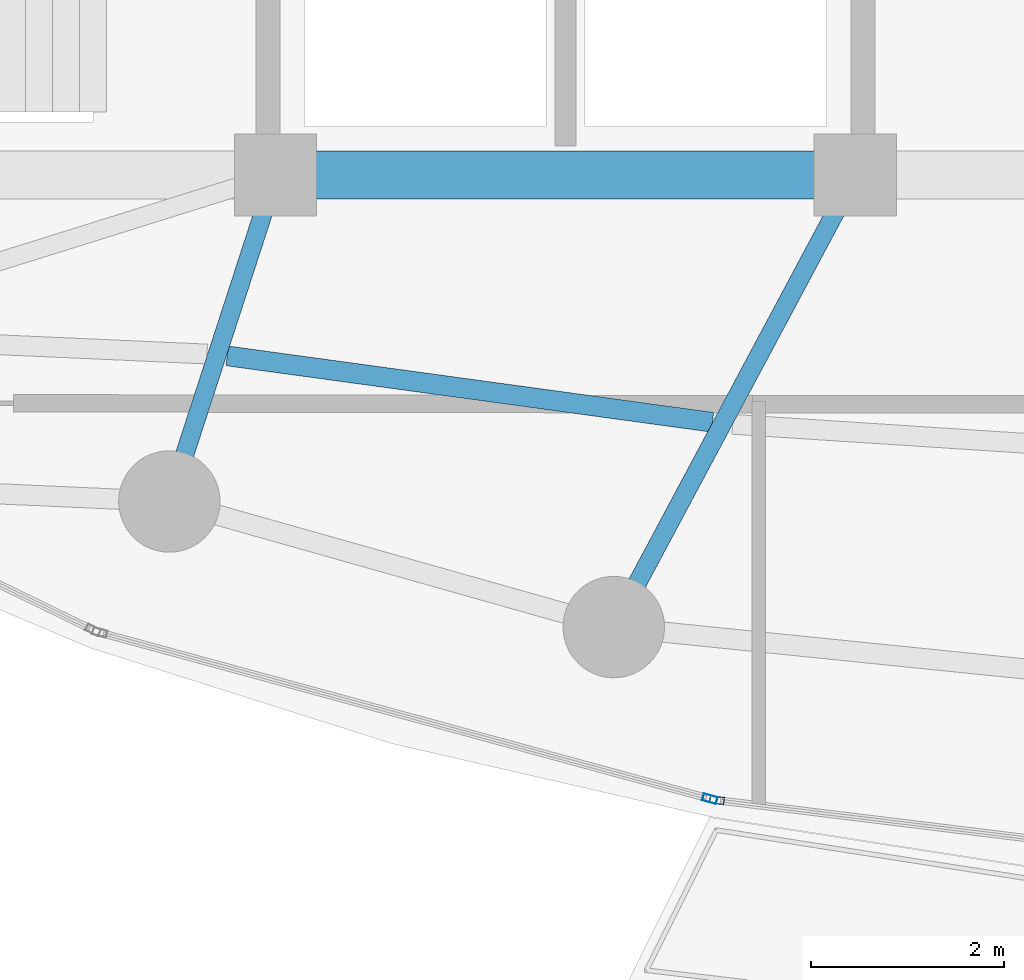
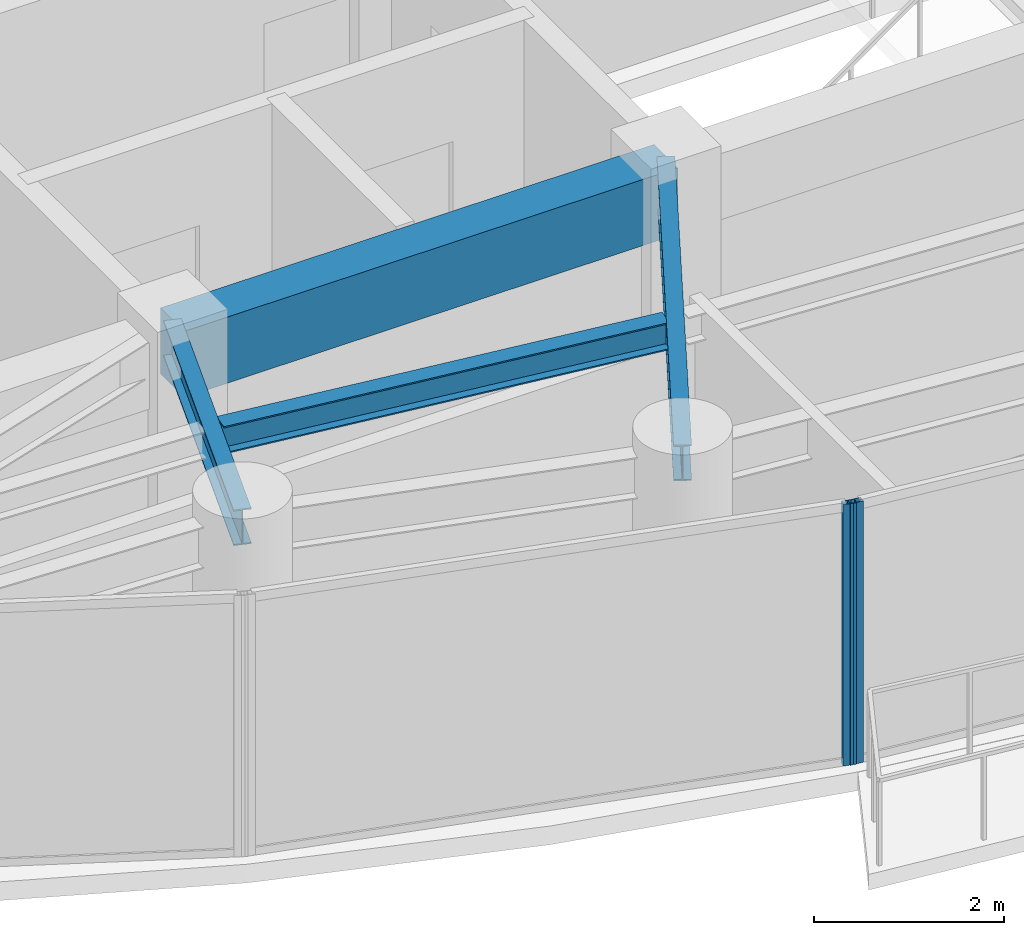
# One storey, part 5 of 31: 4 beams, 2 members, 2 elements without a shape of their own.
"""IFC4 building model written with IfcOpenShell, lengths in metres."""

from ifc_helpers import new_model, si_unit, direction, frame, origin, origin_2d, place, context, subcontext, project, spatial, rectangle, hollow_rectangle, i_section, extrude, material, layer, layer_set, material_profile, profile_set, type_object, element, aggregate, save


model = new_model("IFC4")

# Units and contexts
model_context = context("Model", 3, precision=1e-05, world=origin(), true_north=direction((0.0, 1.0)))
body_context = subcontext(model_context, "Body", "Model", "MODEL_VIEW")
ifc_project = project(units=[si_unit("LENGTHUNIT", "METRE"), si_unit("AREAUNIT", "SQUARE_METRE"), si_unit("VOLUMEUNIT", "CUBIC_METRE"), si_unit("PLANEANGLEUNIT", "RADIAN"), si_unit("MASSUNIT", "GRAM", prefix="KILO")], contexts=[model_context])

# Site, building, storey
site_placement = place(None, origin())
site = spatial("IfcSite", under=ifc_project, at=site_placement, CompositionType="ELEMENT")
building_placement = place(site_placement, origin())
building = spatial("IfcBuilding", under=site, at=building_placement, Name="Kazevale Care Tower and Concert Hall", CompositionType="ELEMENT")
storey_placement = place(building_placement, frame((0.0, 0.0, 217.199951171875)))
storey = spatial("IfcBuildingStorey", under=building, at=storey_placement, Name="L57", CompositionType="ELEMENT", Elevation=217.199951171875)

# Curtain wall, member
ifc_material_1 = material(Name="Aluminium 6063-T6 and Low-E Glass", Category="aluminium")
ifc_layer = layer(ifc_material_1, 0.179931640625)
ifc_layer_set = layer_set([ifc_layer], Name="Aluminium 6063-T6 and Low-E Glass")
curtain_wall_type = type_object("IfcCurtainWallType", Name="Sheltered Concave Balcony Curtain Wall CW-5", PredefinedType="NOTDEFINED", material=ifc_layer_set)
curtain_wall_1_placement = place(storey_placement, origin())
curtain_wall_1 = element("IfcCurtainWall", 1, at=curtain_wall_1_placement, inside=storey, type_object=curtain_wall_type, Name="cw:L57:f07", PredefinedType="NOTDEFINED")
ifc_material_2 = material(Name="Aluminium 6063-T6", Category="aluminium")
ifc_material_profile_1 = material_profile(ifc_material_2, hollow_rectangle(XDim=0.074951171875, YDim=0.14990234375, WallThickness=0.00390625, at=origin_2d()), Name="ALU75x150x4")
ifc_profile_set_1 = profile_set([ifc_material_profile_1], Name="Aluminium 6063-T6")
member_type = type_object("IfcMemberType", Name="CW-5 Mullion ALU75x150x4", PredefinedType="MULLION", material=ifc_profile_set_1)
member_1_placement = place(storey_placement, frame((34.568115234375, 17.12841796875, 0.0), z_axis=(0.0, 0.0, 1.0), x_axis=(-0.121650797964, -0.992572961225, 0.0)))
member_1 = element("IfcMember", 2, at=member_1_placement, type_object=member_type, Name="CW-5 mullion 2", PredefinedType="MULLION", context=body_context, shape_type="SweptSolid", body=[
    extrude(hollow_rectangle(XDim=0.074951171875, YDim=0.14990234375, WallThickness=0.00390625, at=origin_2d()), origin(), (0.0, 0.0, 1.0), 3.360107421875),
])
aggregate(curtain_wall_1, [member_1])

curtain_wall_2_placement = place(storey_placement, origin())
curtain_wall_2 = element("IfcCurtainWall", 3, at=curtain_wall_2_placement, inside=storey, type_object=curtain_wall_type, Name="cw:L57:f08", PredefinedType="NOTDEFINED")
member_2_placement = place(storey_placement, frame((34.494873046875, 17.142822265625, 0.0), z_axis=(0.0, 0.0, 1.0), x_axis=(-0.262848968947, -0.964836991167, 0.0)))
member_2 = element("IfcMember", 4, at=member_2_placement, type_object=member_type, Name="CW-5 mullion 1", PredefinedType="MULLION", context=body_context, shape_type="SweptSolid", body=[
    extrude(hollow_rectangle(XDim=0.074951171875, YDim=0.14990234375, WallThickness=0.00390625, at=origin_2d()), origin(), (0.0, 0.0, 1.0), 3.360107421875),
])
aggregate(curtain_wall_2, [member_2])

# Beams
ifc_material_3 = material(Name="Concrete C60", Category="concrete")
ifc_material_profile_2 = material_profile(ifc_material_3, rectangle(XDim=0.5, YDim=0.85009765625, at=origin_2d()), Name="RC-B500x850")
ifc_profile_set_2 = profile_set([ifc_material_profile_2], Name="Concrete C60")
beam_type_1 = type_object("IfcBeamType", Name="Core Coupling Beam RC500x850", PredefinedType="LINTEL", material=ifc_profile_set_2)
beam_1_placement = place(storey_placement, frame((30.0, 23.60009765625, 2.93505859375), z_axis=(1.0, 0.0, 0.0), x_axis=(0.0, 1.0, 0.0)))
element("IfcBeam", 5, at=beam_1_placement, inside=storey, type_object=beam_type_1, Name="beam:L57:coretie:2", PredefinedType="LINTEL", context=body_context, shape_type="SweptSolid", body=[
    extrude(rectangle(XDim=0.5, YDim=0.85009765625, at=origin_2d()), origin(), (0.0, 0.0, 1.0), 6.0),
])
ifc_material_4 = material(Name="Steel ASTM A572 Gr 50", Category="steel")
ifc_material_profile_3 = material_profile(ifc_material_4, i_section(OverallWidth=0.19091796875, OverallDepth=0.4599609375, WebThickness=0.010009765625, FlangeThickness=0.01611328125, at=origin_2d()), Name="W460x82")
ifc_profile_set_3 = profile_set([ifc_material_profile_3], Name="Steel ASTM A572 Gr 50")
beam_type_2 = type_object("IfcBeamType", Name="Radial Floor Beam W460x82", PredefinedType="BEAM", material=ifc_profile_set_3)
beam_2_placement = place(storey_placement, frame((30.0, 23.60009765625, 3.130126953125), z_axis=(-0.309482065101, -0.950905279921, 0.0), x_axis=(0.950905279921, -0.309482065101, 0.0)))
element("IfcBeam", 6, at=beam_2_placement, inside=storey, type_object=beam_type_2, Name="beam:L57:rad:11", PredefinedType="BEAM", context=body_context, shape_type="SweptSolid", body=[
    extrude(i_section(OverallWidth=0.19091796875, OverallDepth=0.4599609375, WebThickness=0.010009765625, FlangeThickness=0.01611328125, at=origin_2d()), origin(), (0.0, 0.0, 1.0), 3.5546875),
])
beam_3_placement = place(storey_placement, frame((36.0, 23.60009765625, 3.130126953125), z_axis=(-0.471161293943, -0.88204707079, 0.0), x_axis=(0.88204707079, -0.471161293943, 0.0)))
element("IfcBeam", 7, at=beam_3_placement, inside=storey, type_object=beam_type_2, Name="beam:L57:rad:12", PredefinedType="BEAM", context=body_context, shape_type="SweptSolid", body=[
    extrude(i_section(OverallWidth=0.19091796875, OverallDepth=0.4599609375, WebThickness=0.010009765625, FlangeThickness=0.01611328125, at=origin_2d()), origin(), (0.0, 0.0, 1.0), 5.30615234375),
])
ifc_material_profile_4 = material_profile(ifc_material_4, i_section(OverallWidth=0.205078125, OverallDepth=0.35400390625, WebThickness=0.009521484375, FlangeThickness=0.016845703125, at=origin_2d()), Name="W360x79")
ifc_profile_set_4 = profile_set([ifc_material_profile_4], Name="Steel ASTM A572 Gr 50")
beam_type_3 = type_object("IfcBeamType", Name="Secondary Floor Joist W360x79", PredefinedType="JOIST", material=ifc_profile_set_4)
beam_4_placement = place(storey_placement, frame((29.4990234375, 21.72705078125, 3.18310546875), z_axis=(0.990772043119, -0.13553877148, 0.0), x_axis=(0.13553877148, 0.990772043119, 0.0)))
element("IfcBeam", 8, at=beam_4_placement, inside=storey, type_object=beam_type_3, Name="beam:L57:joist:11", PredefinedType="JOIST", context=body_context, shape_type="SweptSolid", body=[
    extrude(i_section(OverallWidth=0.205078125, OverallDepth=0.35400390625, WebThickness=0.009521484375, FlangeThickness=0.016845703125, at=origin_2d()), origin(), (0.0, 0.0, 1.0), 5.06884765625),
])

save(model, "model.ifc")
